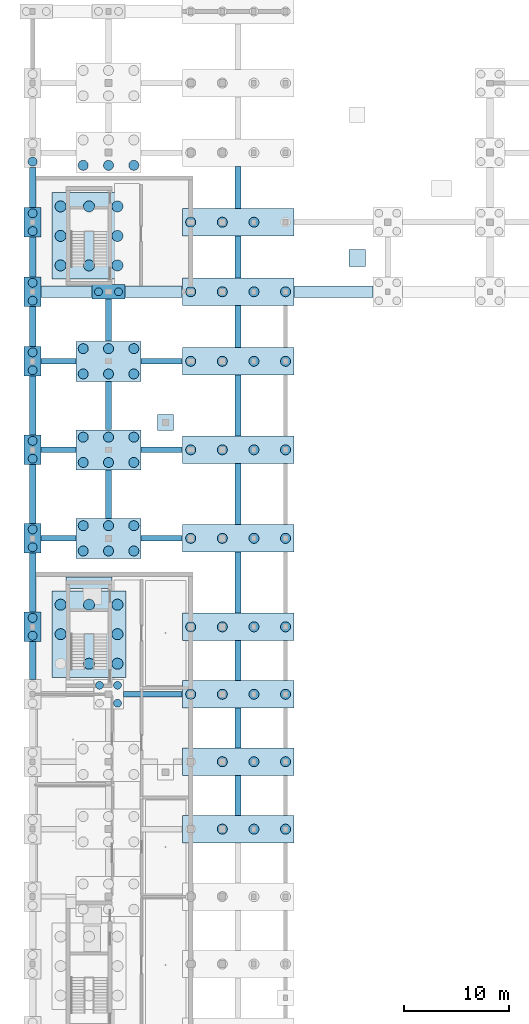
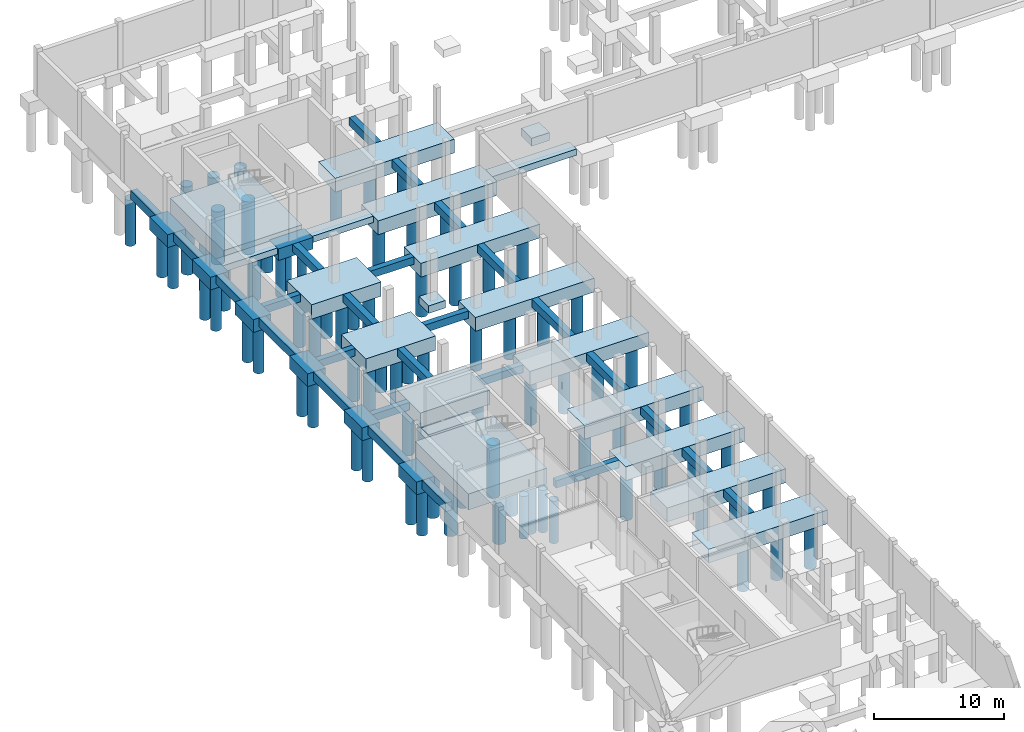
# One storey, part 2 of 21: 87 piles, 53 footings.
"""IFC4 building model written with IfcOpenShell, lengths in metres."""

from ifc_helpers import new_model, si_unit, derived_unit, direction, frame, origin, origin_2d, place, context, subcontext, project, spatial, rectangle, circle, extrude, material, material_profile, profile_set, type_object, element, save


model = new_model("IFC4")

# Units and contexts
model_context = context("Model", 3, precision=1e-05, world=origin(), true_north=direction((0.0, 1.0)))
body_context = subcontext(model_context, "Body", "Model", "MODEL_VIEW")
ifc_project = project(units=[si_unit("LENGTHUNIT", "METRE"), si_unit("AREAUNIT", "SQUARE_METRE"), si_unit("VOLUMEUNIT", "CUBIC_METRE"), si_unit("PLANEANGLEUNIT", "RADIAN"), si_unit("MASSUNIT", "GRAM", prefix="KILO"), derived_unit("THERMALTRANSMITTANCEUNIT", [(si_unit("POWERUNIT", "WATT"), 1), (si_unit("LENGTHUNIT", "METRE"), -2), (si_unit("THERMODYNAMICTEMPERATUREUNIT", "KELVIN"), -1)])], contexts=[model_context])

# Site, building, storey
site_placement = place(None, origin())
site = spatial("IfcSite", under=ifc_project, at=site_placement, CompositionType="ELEMENT")
building_placement = place(site_placement, origin())
building = spatial("IfcBuilding", under=site, at=building_placement, Name="Braskholm Square Health Centre", CompositionType="ELEMENT")
storey_placement = place(building_placement, frame((0.0, 0.0, -4.5)))
storey = spatial("IfcBuildingStorey", under=building, at=storey_placement, Name="B01", CompositionType="ELEMENT", Elevation=-4.5)

# Piles
ifc_material = material(Name="Concrete C40/50 (f'c = 40 MPa)", Category="concrete")
ifc_material_profile_1 = material_profile(ifc_material, circle(Radius=0.52490234375, at=origin_2d()), Name="BORED-PILE-1050")
ifc_profile_set_1 = profile_set([ifc_material_profile_1], Name="Concrete C40/50 (f'c = 40 MPa)")
pile_type_1 = type_object("IfcPileType", Name="BoredShaft1050", PredefinedType="BORED", material=ifc_profile_set_1)
for number, where, z_axis, x_axis, name in (
    (1, (12.25, 51.89990234375, -1.39990234375), (0.0, 0.0, -1.0), (1.0, 0.0, 0.0), "Rock-socketed shaft 0009"),
    (2, (12.25, 54.699951171875, -1.39990234375), (0.0, 0.0, -1.0), (1.0, 0.0, 0.0), "Rock-socketed shaft 0010"),
    (3, (12.25, 57.5, -1.39990234375), (0.0, 0.0, -1.0), (1.0, 0.0, 0.0), "Rock-socketed shaft 0011"),
    (4, (9.550048828125, 51.89990234375, -1.39990234375), (0.0, 0.0, -1.0), (1.0, 0.0, 0.0), "Rock-socketed shaft 0012"),
    (5, (9.550048828125, 57.5, -1.39990234375), (0.0, 0.0, -1.0), (1.0, 0.0, 0.0), "Rock-socketed shaft 0013"),
    (6, (6.85009765625, 54.699951171875, -1.39990234375), (0.0, 0.0, -1.0), (1.0, 0.0, 0.0), "Rock-socketed shaft 0015"),
    (7, (6.85009765625, 57.5, -1.39990234375), (0.0, 0.0, -1.0), (1.0, 0.0, 0.0), "Rock-socketed shaft 0016"),
    (8, (12.25, 89.699951171875, -1.39990234375), (0.0, 0.0, -1.0), (1.0, 0.0, 0.0), "Rock-socketed shaft 0017"),
    (9, (12.25, 92.5, -1.39990234375), (0.0, 0.0, -1.0), (1.0, 0.0, 0.0), "Rock-socketed shaft 0018"),
    (10, (12.25, 95.300048828125, -1.39990234375), (0.0, 0.0, -1.0), (1.0, 0.0, 0.0), "Rock-socketed shaft 0019"),
    (11, (9.550048828125, 89.699951171875, -1.39990234375), (0.0, 0.0, -1.0), (1.0, 0.0, 0.0), "Rock-socketed shaft 0020"),
    (12, (9.550048828125, 95.300048828125, -1.39990234375), (0.0, 0.0, -1.0), (1.0, 0.0, 0.0), "Rock-socketed shaft 0021"),
    (13, (6.85009765625, 89.699951171875, -1.39990234375), (0.0, 0.0, -1.0), (1.0, 0.0, 0.0), "Rock-socketed shaft 0022"),
    (14, (6.85009765625, 92.5, -1.39990234375), (0.0, 0.0, -1.0), (1.0, 0.0, 0.0), "Rock-socketed shaft 0023"),
    (15, (6.85009765625, 95.300048828125, -1.39990234375), (0.0, 0.0, -1.0), (1.0, 0.0, 0.0), "Rock-socketed shaft 0024"),
):
    element("IfcPile", number, at=place(storey_placement, frame(where, z_axis=z_axis, x_axis=x_axis)), inside=storey, type_object=pile_type_1, Name=name, PredefinedType="BORED", context=body_context, shape_type="SweptSolid", body=[
        extrude(circle(Radius=0.52490234375, at=origin_2d()), origin(), (0.0, 0.0, 1.0), 5.0),
    ])
ifc_material_profile_2 = material_profile(ifc_material, circle(Radius=0.375, at=origin_2d()), Name="BORED-PILE-750")
ifc_profile_set_2 = profile_set([ifc_material_profile_2], Name="Concrete C40/50 (f'c = 40 MPa)")
pile_type_2 = type_object("IfcPileType", Name="BoredShaft750", PredefinedType="BORED", material=ifc_profile_set_2)
for number, where, z_axis, x_axis, name in (
    (16, (12.25, 48.14990234375, -1.10009765625), (0.0, 0.0, -1.0), (1.0, 0.0, 0.0), "Rock-socketed shaft 0230"),
    (17, (10.550048828125, 49.85009765625, -1.10009765625), (0.0, 0.0, -1.0), (1.0, 0.0, 0.0), "Rock-socketed shaft 0231"),
    (18, (12.25, 49.85009765625, -1.10009765625), (0.0, 0.0, -1.0), (1.0, 0.0, 0.0), "Rock-socketed shaft 0232"),
    (19, (10.449951171875, 87.199951171875, -1.0), (0.0, 0.0, -1.0), (1.0, 0.0, 0.0), "Rock-socketed shaft 0251"),
    (20, (12.35009765625, 87.199951171875, -1.0), (0.0, 0.0, -1.0), (1.0, 0.0, 0.0), "Rock-socketed shaft 0252"),
):
    element("IfcPile", number, at=place(storey_placement, frame(where, z_axis=z_axis, x_axis=x_axis)), inside=storey, type_object=pile_type_2, Name=name, PredefinedType="BORED", context=body_context, shape_type="SweptSolid", body=[
        extrude(circle(Radius=0.375, at=origin_2d()), origin(), (0.0, 0.0, 1.0), 4.0),
    ])
ifc_material_profile_3 = material_profile(ifc_material, circle(Radius=0.425048828125, at=origin_2d()), Name="BORED-PILE-850")
ifc_profile_set_3 = profile_set([ifc_material_profile_3], Name="Concrete C40/50 (f'c = 40 MPa)")
pile_type_3 = type_object("IfcPileType", Name="BoredShaft850", PredefinedType="BORED", material=ifc_profile_set_3)
for number, where, z_axis, x_axis, name in (
    (21, (4.199951171875, 54.550048828125, -1.10009765625), (0.0, 0.0, -1.0), (1.0, 0.0, 0.0), "Rock-socketed shaft 0185"),
    (22, (4.199951171875, 56.25, -1.10009765625), (0.0, 0.0, -1.0), (1.0, 0.0, 0.0), "Rock-socketed shaft 0186"),
    (23, (4.199951171875, 62.949951171875, -1.10009765625), (0.0, 0.0, -1.0), (1.0, 0.0, 0.0), "Rock-socketed shaft 0187"),
    (24, (4.199951171875, 64.64990234375, -1.10009765625), (0.0, 0.0, -1.0), (1.0, 0.0, 0.0), "Rock-socketed shaft 0188"),
    (25, (4.199951171875, 71.35009765625, -1.10009765625), (0.0, 0.0, -1.0), (1.0, 0.0, 0.0), "Rock-socketed shaft 0189"),
    (26, (4.199951171875, 73.050048828125, -1.10009765625), (0.0, 0.0, -1.0), (1.0, 0.0, 0.0), "Rock-socketed shaft 0190"),
    (27, (4.199951171875, 79.75, -1.10009765625), (0.0, 0.0, -1.0), (1.0, 0.0, 0.0), "Rock-socketed shaft 0191"),
    (28, (4.199951171875, 81.449951171875, -1.10009765625), (0.0, 0.0, -1.0), (1.0, 0.0, 0.0), "Rock-socketed shaft 0192"),
    (29, (4.199951171875, 86.35009765625, -1.10009765625), (0.0, 0.0, -1.0), (1.0, 0.0, 0.0), "Rock-socketed shaft 0193"),
    (30, (4.199951171875, 88.050048828125, -1.10009765625), (0.0, 0.0, -1.0), (1.0, 0.0, 0.0), "Rock-socketed shaft 0194"),
    (31, (4.199951171875, 92.949951171875, -1.10009765625), (0.0, 0.0, -1.0), (1.0, 0.0, 0.0), "Rock-socketed shaft 0195"),
    (32, (4.199951171875, 94.64990234375, -1.10009765625), (0.0, 0.0, -1.0), (1.0, 0.0, 0.0), "Rock-socketed shaft 0196"),
    (33, (4.199951171875, 99.550048828125, -1.10009765625), (0.0, 0.0, -1.0), (1.0, 0.0, 0.0), "Rock-socketed shaft 0197"),
):
    element("IfcPile", number, at=place(storey_placement, frame(where, z_axis=z_axis, x_axis=x_axis)), inside=storey, type_object=pile_type_3, Name=name, PredefinedType="BORED", context=body_context, shape_type="SweptSolid", body=[
        extrude(circle(Radius=0.425048828125, at=origin_2d()), origin(), (0.0, 0.0, 1.0), 4.300048828125),
    ])
ifc_material_profile_4 = material_profile(ifc_material, circle(Radius=0.47509765625, at=origin_2d()), Name="BORED-PILE-950")
ifc_profile_set_4 = profile_set([ifc_material_profile_4], Name="Concrete C40/50 (f'c = 40 MPa)")
pile_type_4 = type_object("IfcPileType", Name="BoredShaft950", PredefinedType="BORED", material=ifc_profile_set_4)
for number, where, z_axis, x_axis, name in (
    (34, (22.199951171875, 36.199951171875, -1.199951171875), (0.0, 0.0, -1.0), (1.0, 0.0, 0.0), "Rock-socketed shaft 0054"),
    (35, (25.199951171875, 36.199951171875, -1.199951171875), (0.0, 0.0, -1.0), (1.0, 0.0, 0.0), "Rock-socketed shaft 0055"),
    (36, (28.199951171875, 36.199951171875, -1.199951171875), (0.0, 0.0, -1.0), (1.0, 0.0, 0.0), "Rock-socketed shaft 0056"),
    (37, (22.199951171875, 42.60009765625, -1.199951171875), (0.0, 0.0, -1.0), (1.0, 0.0, 0.0), "Rock-socketed shaft 0058"),
    (38, (25.199951171875, 42.60009765625, -1.199951171875), (0.0, 0.0, -1.0), (1.0, 0.0, 0.0), "Rock-socketed shaft 0059"),
    (39, (28.199951171875, 42.60009765625, -1.199951171875), (0.0, 0.0, -1.0), (1.0, 0.0, 0.0), "Rock-socketed shaft 0060"),
    (40, (19.199951171875, 49.0, -1.199951171875), (0.0, 0.0, -1.0), (1.0, 0.0, 0.0), "Rock-socketed shaft 0061"),
    (41, (22.199951171875, 49.0, -1.199951171875), (0.0, 0.0, -1.0), (1.0, 0.0, 0.0), "Rock-socketed shaft 0062"),
    (42, (25.199951171875, 49.0, -1.199951171875), (0.0, 0.0, -1.0), (1.0, 0.0, 0.0), "Rock-socketed shaft 0063"),
    (43, (28.199951171875, 49.0, -1.199951171875), (0.0, 0.0, -1.0), (1.0, 0.0, 0.0), "Rock-socketed shaft 0064"),
    (44, (19.199951171875, 55.39990234375, -1.199951171875), (0.0, 0.0, -1.0), (1.0, 0.0, 0.0), "Rock-socketed shaft 0065"),
    (45, (22.199951171875, 55.39990234375, -1.199951171875), (0.0, 0.0, -1.0), (1.0, 0.0, 0.0), "Rock-socketed shaft 0066"),
    (46, (25.199951171875, 55.39990234375, -1.199951171875), (0.0, 0.0, -1.0), (1.0, 0.0, 0.0), "Rock-socketed shaft 0067"),
    (47, (28.199951171875, 55.39990234375, -1.199951171875), (0.0, 0.0, -1.0), (1.0, 0.0, 0.0), "Rock-socketed shaft 0068"),
    (48, (19.199951171875, 63.800048828125, -1.199951171875), (0.0, 0.0, -1.0), (1.0, 0.0, 0.0), "Rock-socketed shaft 0069"),
    (49, (22.199951171875, 63.800048828125, -1.199951171875), (0.0, 0.0, -1.0), (1.0, 0.0, 0.0), "Rock-socketed shaft 0070"),
    (50, (25.199951171875, 63.800048828125, -1.199951171875), (0.0, 0.0, -1.0), (1.0, 0.0, 0.0), "Rock-socketed shaft 0071"),
    (51, (28.199951171875, 63.800048828125, -1.199951171875), (0.0, 0.0, -1.0), (1.0, 0.0, 0.0), "Rock-socketed shaft 0072"),
    (52, (19.199951171875, 72.199951171875, -1.199951171875), (0.0, 0.0, -1.0), (1.0, 0.0, 0.0), "Rock-socketed shaft 0073"),
    (53, (22.199951171875, 72.199951171875, -1.199951171875), (0.0, 0.0, -1.0), (1.0, 0.0, 0.0), "Rock-socketed shaft 0074"),
    (54, (25.199951171875, 72.199951171875, -1.199951171875), (0.0, 0.0, -1.0), (1.0, 0.0, 0.0), "Rock-socketed shaft 0075"),
    (55, (28.199951171875, 72.199951171875, -1.199951171875), (0.0, 0.0, -1.0), (1.0, 0.0, 0.0), "Rock-socketed shaft 0076"),
    (56, (19.199951171875, 80.60009765625, -1.199951171875), (0.0, 0.0, -1.0), (1.0, 0.0, 0.0), "Rock-socketed shaft 0077"),
    (57, (22.199951171875, 80.60009765625, -1.199951171875), (0.0, 0.0, -1.0), (1.0, 0.0, 0.0), "Rock-socketed shaft 0078"),
    (58, (25.199951171875, 80.60009765625, -1.199951171875), (0.0, 0.0, -1.0), (1.0, 0.0, 0.0), "Rock-socketed shaft 0079"),
    (59, (28.199951171875, 80.60009765625, -1.199951171875), (0.0, 0.0, -1.0), (1.0, 0.0, 0.0), "Rock-socketed shaft 0080"),
    (60, (19.199951171875, 87.199951171875, -1.199951171875), (0.0, 0.0, -1.0), (1.0, 0.0, 0.0), "Rock-socketed shaft 0081"),
    (61, (22.199951171875, 87.199951171875, -1.199951171875), (0.0, 0.0, -1.0), (1.0, 0.0, 0.0), "Rock-socketed shaft 0082"),
    (62, (25.199951171875, 87.199951171875, -1.199951171875), (0.0, 0.0, -1.0), (1.0, 0.0, 0.0), "Rock-socketed shaft 0083"),
    (63, (28.199951171875, 87.199951171875, -1.199951171875), (0.0, 0.0, -1.0), (1.0, 0.0, 0.0), "Rock-socketed shaft 0084"),
    (64, (19.199951171875, 93.800048828125, -1.199951171875), (0.0, 0.0, -1.0), (1.0, 0.0, 0.0), "Rock-socketed shaft 0085"),
    (65, (22.199951171875, 93.800048828125, -1.199951171875), (0.0, 0.0, -1.0), (1.0, 0.0, 0.0), "Rock-socketed shaft 0086"),
    (66, (25.199951171875, 93.800048828125, -1.199951171875), (0.0, 0.0, -1.0), (1.0, 0.0, 0.0), "Rock-socketed shaft 0087"),
    (67, (9.0, 62.60009765625, -1.25), (0.0, 0.0, -1.0), (1.0, 0.0, 0.0), "Rock-socketed shaft 0233"),
    (68, (11.39990234375, 62.60009765625, -1.25), (0.0, 0.0, -1.0), (1.0, 0.0, 0.0), "Rock-socketed shaft 0234"),
    (69, (13.800048828125, 62.60009765625, -1.25), (0.0, 0.0, -1.0), (1.0, 0.0, 0.0), "Rock-socketed shaft 0235"),
    (70, (9.0, 65.0, -1.25), (0.0, 0.0, -1.0), (1.0, 0.0, 0.0), "Rock-socketed shaft 0236"),
    (71, (11.39990234375, 65.0, -1.25), (0.0, 0.0, -1.0), (1.0, 0.0, 0.0), "Rock-socketed shaft 0237"),
    (72, (13.800048828125, 65.0, -1.25), (0.0, 0.0, -1.0), (1.0, 0.0, 0.0), "Rock-socketed shaft 0238"),
    (73, (9.0, 71.0, -1.25), (0.0, 0.0, -1.0), (1.0, 0.0, 0.0), "Rock-socketed shaft 0239"),
    (74, (11.39990234375, 71.0, -1.25), (0.0, 0.0, -1.0), (1.0, 0.0, 0.0), "Rock-socketed shaft 0240"),
    (75, (13.800048828125, 71.0, -1.25), (0.0, 0.0, -1.0), (1.0, 0.0, 0.0), "Rock-socketed shaft 0241"),
    (76, (9.0, 73.39990234375, -1.25), (0.0, 0.0, -1.0), (1.0, 0.0, 0.0), "Rock-socketed shaft 0242"),
    (77, (11.39990234375, 73.39990234375, -1.25), (0.0, 0.0, -1.0), (1.0, 0.0, 0.0), "Rock-socketed shaft 0243"),
    (78, (13.800048828125, 73.39990234375, -1.25), (0.0, 0.0, -1.0), (1.0, 0.0, 0.0), "Rock-socketed shaft 0244"),
    (79, (9.0, 79.39990234375, -1.25), (0.0, 0.0, -1.0), (1.0, 0.0, 0.0), "Rock-socketed shaft 0245"),
    (80, (11.39990234375, 79.39990234375, -1.25), (0.0, 0.0, -1.0), (1.0, 0.0, 0.0), "Rock-socketed shaft 0246"),
    (81, (13.800048828125, 79.39990234375, -1.25), (0.0, 0.0, -1.0), (1.0, 0.0, 0.0), "Rock-socketed shaft 0247"),
    (82, (9.0, 81.800048828125, -1.25), (0.0, 0.0, -1.0), (1.0, 0.0, 0.0), "Rock-socketed shaft 0248"),
    (83, (11.39990234375, 81.800048828125, -1.25), (0.0, 0.0, -1.0), (1.0, 0.0, 0.0), "Rock-socketed shaft 0249"),
    (84, (13.800048828125, 81.800048828125, -1.25), (0.0, 0.0, -1.0), (1.0, 0.0, 0.0), "Rock-socketed shaft 0250"),
    (85, (9.0, 99.199951171875, -1.25), (0.0, 0.0, -1.0), (1.0, 0.0, 0.0), "Rock-socketed shaft 0253"),
    (86, (11.39990234375, 99.199951171875, -1.25), (0.0, 0.0, -1.0), (1.0, 0.0, 0.0), "Rock-socketed shaft 0254"),
    (87, (13.800048828125, 99.199951171875, -1.25), (0.0, 0.0, -1.0), (1.0, 0.0, 0.0), "Rock-socketed shaft 0255"),
):
    element("IfcPile", number, at=place(storey_placement, frame(where, z_axis=z_axis, x_axis=x_axis)), inside=storey, type_object=pile_type_4, Name=name, PredefinedType="BORED", context=body_context, shape_type="SweptSolid", body=[
        extrude(circle(Radius=0.47509765625, at=origin_2d()), origin(), (0.0, 0.0, 1.0), 4.60009765625),
    ])

# Footings
ifc_material_profile_5 = material_profile(ifc_material, rectangle(XDim=0.60009765625, YDim=0.800048828125, at=origin_2d()), Name="FTG-600X800")
ifc_profile_set_5 = profile_set([ifc_material_profile_5], Name="Concrete C40/50 (f'c = 40 MPa)")
footing_type_1 = type_object("IfcFootingType", Name="GradeBeamFrost600x800", PredefinedType="FOOTING_BEAM", material=ifc_profile_set_5)
footing_1_placement = place(storey_placement, frame((4.199951171875, 50.405029296875, -0.39990234375), z_axis=(0.0, 1.0, 0.0), x_axis=(-1.0, 0.0, 0.0)))
element("IfcFooting", 88, at=footing_1_placement, inside=storey, type_object=footing_type_1, Name="Foundation tie beam 0007", PredefinedType="FOOTING_BEAM", context=body_context, shape_type="SweptSolid", body=[
    extrude(rectangle(XDim=0.60009765625, YDim=0.800048828125, at=origin_2d()), origin(), (0.0, 0.0, 1.0), 3.590087890625),
])
footing_2_placement = place(storey_placement, frame((4.199951171875, 56.804931640625, -0.39990234375), z_axis=(0.0, 1.0, 0.0), x_axis=(-1.0, 0.0, 0.0)))
element("IfcFooting", 89, at=footing_2_placement, inside=storey, type_object=footing_type_1, Name="Foundation tie beam 0008", PredefinedType="FOOTING_BEAM", context=body_context, shape_type="SweptSolid", body=[
    extrude(rectangle(XDim=0.60009765625, YDim=0.800048828125, at=origin_2d()), origin(), (0.0, 0.0, 1.0), 5.590087890625),
])
footing_3_placement = place(storey_placement, frame((4.199951171875, 65.205078125, -0.39990234375), z_axis=(0.0, 1.0, 0.0), x_axis=(-1.0, 0.0, 0.0)))
element("IfcFooting", 90, at=footing_3_placement, inside=storey, type_object=footing_type_1, Name="Foundation tie beam 0009", PredefinedType="FOOTING_BEAM", context=body_context, shape_type="SweptSolid", body=[
    extrude(rectangle(XDim=0.60009765625, YDim=0.800048828125, at=origin_2d()), origin(), (0.0, 0.0, 1.0), 5.58984375),
])
footing_4_placement = place(storey_placement, frame((4.199951171875, 73.60498046875, -0.39990234375), z_axis=(0.0, 1.0, 0.0), x_axis=(-1.0, 0.0, 0.0)))
element("IfcFooting", 91, at=footing_4_placement, inside=storey, type_object=footing_type_1, Name="Foundation tie beam 0010", PredefinedType="FOOTING_BEAM", context=body_context, shape_type="SweptSolid", body=[
    extrude(rectangle(XDim=0.60009765625, YDim=0.800048828125, at=origin_2d()), origin(), (0.0, 0.0, 1.0), 5.590087890625),
])
for number, where, z_axis, x_axis, name in (
    (92, (4.199951171875, 82.0048828125, -0.39990234375), (0.0, 1.0, 0.0), (-1.0, 0.0, 0.0), "Foundation tie beam 0011"),
    (93, (4.199951171875, 88.60498046875, -0.39990234375), (0.0, 1.0, 0.0), (-1.0, 0.0, 0.0), "Foundation tie beam 0012"),
    (94, (4.199951171875, 95.205078125, -0.39990234375), (0.0, 1.0, 0.0), (-1.0, 0.0, 0.0), "Foundation tie beam 0013"),
):
    element("IfcFooting", number, at=place(storey_placement, frame(where, z_axis=z_axis, x_axis=x_axis)), inside=storey, type_object=footing_type_1, Name=name, PredefinedType="FOOTING_BEAM", context=body_context, shape_type="SweptSolid", body=[
        extrude(rectangle(XDim=0.60009765625, YDim=0.800048828125, at=origin_2d()), origin(), (0.0, 0.0, 1.0), 3.7900390625),
    ])
ifc_material_profile_6 = material_profile(ifc_material, rectangle(XDim=0.5, YDim=0.699951171875, at=origin_2d()), Name="FTG-500X700")
ifc_profile_set_6 = profile_set([ifc_material_profile_6], Name="Concrete C40/50 (f'c = 40 MPa)")
footing_type_2 = type_object("IfcFootingType", Name="GradeBeamTie500x700", PredefinedType="FOOTING_BEAM", material=ifc_profile_set_6)
footing_5_placement = place(storey_placement, frame((12.804931640625, 49.0, -0.35009765625), z_axis=(1.0, 0.0, 0.0), x_axis=(0.0, 1.0, 0.0)))
element("IfcFooting", 95, at=footing_5_placement, inside=storey, type_object=footing_type_2, Name="Foundation tie beam 0142", PredefinedType="FOOTING_BEAM", context=body_context, shape_type="SweptSolid", body=[
    extrude(rectangle(XDim=0.5, YDim=0.699951171875, at=origin_2d()), origin(), (0.0, 0.0, 1.0), 5.590087890625),
])
footing_6_placement = place(storey_placement, frame((5.0048828125, 63.800048828125, -0.35009765625), z_axis=(1.0, 0.0, 0.0), x_axis=(0.0, 1.0, 0.0)))
element("IfcFooting", 96, at=footing_6_placement, inside=storey, type_object=footing_type_2, Name="Foundation tie beam 0145", PredefinedType="FOOTING_BEAM", context=body_context, shape_type="SweptSolid", body=[
    extrude(rectangle(XDim=0.5, YDim=0.699951171875, at=origin_2d()), origin(), (0.0, 0.0, 1.0), 3.2900390625),
])
footing_7_placement = place(storey_placement, frame((14.5048828125, 63.800048828125, -0.35009765625), z_axis=(1.0, 0.0, 0.0), x_axis=(0.0, 1.0, 0.0)))
element("IfcFooting", 97, at=footing_7_placement, inside=storey, type_object=footing_type_2, Name="Foundation tie beam 0146", PredefinedType="FOOTING_BEAM", context=body_context, shape_type="SweptSolid", body=[
    extrude(rectangle(XDim=0.5, YDim=0.699951171875, at=origin_2d()), origin(), (0.0, 0.0, 1.0), 3.89013671875),
])
footing_8_placement = place(storey_placement, frame((5.0048828125, 72.199951171875, -0.35009765625), z_axis=(1.0, 0.0, 0.0), x_axis=(0.0, 1.0, 0.0)))
element("IfcFooting", 98, at=footing_8_placement, inside=storey, type_object=footing_type_2, Name="Foundation tie beam 0147", PredefinedType="FOOTING_BEAM", context=body_context, shape_type="SweptSolid", body=[
    extrude(rectangle(XDim=0.5, YDim=0.699951171875, at=origin_2d()), origin(), (0.0, 0.0, 1.0), 3.2900390625),
])
footing_9_placement = place(storey_placement, frame((14.5048828125, 72.199951171875, -0.35009765625), z_axis=(1.0, 0.0, 0.0), x_axis=(0.0, 1.0, 0.0)))
element("IfcFooting", 99, at=footing_9_placement, inside=storey, type_object=footing_type_2, Name="Foundation tie beam 0148", PredefinedType="FOOTING_BEAM", context=body_context, shape_type="SweptSolid", body=[
    extrude(rectangle(XDim=0.5, YDim=0.699951171875, at=origin_2d()), origin(), (0.0, 0.0, 1.0), 3.89013671875),
])
footing_10_placement = place(storey_placement, frame((5.0048828125, 80.60009765625, -0.35009765625), z_axis=(1.0, 0.0, 0.0), x_axis=(0.0, 1.0, 0.0)))
element("IfcFooting", 100, at=footing_10_placement, inside=storey, type_object=footing_type_2, Name="Foundation tie beam 0151", PredefinedType="FOOTING_BEAM", context=body_context, shape_type="SweptSolid", body=[
    extrude(rectangle(XDim=0.5, YDim=0.699951171875, at=origin_2d()), origin(), (0.0, 0.0, 1.0), 3.2900390625),
])
footing_11_placement = place(storey_placement, frame((14.5048828125, 80.60009765625, -0.35009765625), z_axis=(1.0, 0.0, 0.0), x_axis=(0.0, 1.0, 0.0)))
element("IfcFooting", 101, at=footing_11_placement, inside=storey, type_object=footing_type_2, Name="Foundation tie beam 0152", PredefinedType="FOOTING_BEAM", context=body_context, shape_type="SweptSolid", body=[
    extrude(rectangle(XDim=0.5, YDim=0.699951171875, at=origin_2d()), origin(), (0.0, 0.0, 1.0), 3.89013671875),
])
ifc_material_profile_7 = material_profile(ifc_material, rectangle(XDim=0.550048828125, YDim=0.75, at=origin_2d()), Name="FTG-550X750")
ifc_profile_set_7 = profile_set([ifc_material_profile_7], Name="Concrete C40/50 (f'c = 40 MPa)")
footing_type_3 = type_object("IfcFootingType", Name="GradeBeamTie550x750", PredefinedType="FOOTING_BEAM", material=ifc_profile_set_7)
footing_12_placement = place(storey_placement, frame((11.39990234375, 65.705078125, -0.375), z_axis=(0.0, 1.0, 0.0), x_axis=(-1.0, 0.0, 0.0)))
element("IfcFooting", 102, at=footing_12_placement, inside=storey, type_object=footing_type_3, Name="Foundation tie beam 0019", PredefinedType="FOOTING_BEAM", context=body_context, shape_type="SweptSolid", body=[
    extrude(rectangle(XDim=0.550048828125, YDim=0.75, at=origin_2d()), origin(), (0.0, 0.0, 1.0), 4.58984375),
])
footing_13_placement = place(storey_placement, frame((11.39990234375, 74.10498046875, -0.375), z_axis=(0.0, 1.0, 0.0), x_axis=(-1.0, 0.0, 0.0)))
element("IfcFooting", 103, at=footing_13_placement, inside=storey, type_object=footing_type_3, Name="Foundation tie beam 0020", PredefinedType="FOOTING_BEAM", context=body_context, shape_type="SweptSolid", body=[
    extrude(rectangle(XDim=0.550048828125, YDim=0.75, at=origin_2d()), origin(), (0.0, 0.0, 1.0), 4.590087890625),
])
footing_14_placement = place(storey_placement, frame((11.39990234375, 82.5048828125, -0.375), z_axis=(0.0, 1.0, 0.0), x_axis=(-1.0, 0.0, 0.0)))
element("IfcFooting", 104, at=footing_14_placement, inside=storey, type_object=footing_type_3, Name="Foundation tie beam 0021", PredefinedType="FOOTING_BEAM", context=body_context, shape_type="SweptSolid", body=[
    extrude(rectangle(XDim=0.550048828125, YDim=0.75, at=origin_2d()), origin(), (0.0, 0.0, 1.0), 3.990234375),
])
for number, where, z_axis, x_axis, name in (
    (105, (23.699951171875, 37.5048828125, -0.375), (0.0, 1.0, 0.0), (-1.0, 0.0, 0.0), "Foundation tie beam 0029"),
    (106, (23.699951171875, 43.905029296875, -0.375), (0.0, 1.0, 0.0), (-1.0, 0.0, 0.0), "Foundation tie beam 0030"),
    (107, (23.699951171875, 50.304931640625, -0.375), (0.0, 1.0, 0.0), (-1.0, 0.0, 0.0), "Foundation tie beam 0031"),
):
    element("IfcFooting", number, at=place(storey_placement, frame(where, z_axis=z_axis, x_axis=x_axis)), inside=storey, type_object=footing_type_3, Name=name, PredefinedType="FOOTING_BEAM", context=body_context, shape_type="SweptSolid", body=[
        extrude(rectangle(XDim=0.550048828125, YDim=0.75, at=origin_2d()), origin(), (0.0, 0.0, 1.0), 3.7900390625),
    ])
for number, where, z_axis, x_axis, name in (
    (108, (23.699951171875, 56.705078125, -0.375), (0.0, 1.0, 0.0), (-1.0, 0.0, 0.0), "Foundation tie beam 0032"),
    (109, (23.699951171875, 65.10498046875, -0.375), (0.0, 1.0, 0.0), (-1.0, 0.0, 0.0), "Foundation tie beam 0033"),
    (110, (23.699951171875, 73.5048828125, -0.375), (0.0, 1.0, 0.0), (-1.0, 0.0, 0.0), "Foundation tie beam 0034"),
):
    element("IfcFooting", number, at=place(storey_placement, frame(where, z_axis=z_axis, x_axis=x_axis)), inside=storey, type_object=footing_type_3, Name=name, PredefinedType="FOOTING_BEAM", context=body_context, shape_type="SweptSolid", body=[
        extrude(rectangle(XDim=0.550048828125, YDim=0.75, at=origin_2d()), origin(), (0.0, 0.0, 1.0), 5.7900390625),
    ])
footing_15_placement = place(storey_placement, frame((23.699951171875, 81.905029296875, -0.375), z_axis=(0.0, 1.0, 0.0), x_axis=(-1.0, 0.0, 0.0)))
element("IfcFooting", 111, at=footing_15_placement, inside=storey, type_object=footing_type_3, Name="Foundation tie beam 0035", PredefinedType="FOOTING_BEAM", context=body_context, shape_type="SweptSolid", body=[
    extrude(rectangle(XDim=0.550048828125, YDim=0.75, at=origin_2d()), origin(), (0.0, 0.0, 1.0), 3.989990234375),
])
footing_16_placement = place(storey_placement, frame((23.699951171875, 88.5048828125, -0.375), z_axis=(0.0, 1.0, 0.0), x_axis=(-1.0, 0.0, 0.0)))
element("IfcFooting", 112, at=footing_16_placement, inside=storey, type_object=footing_type_3, Name="Foundation tie beam 0036", PredefinedType="FOOTING_BEAM", context=body_context, shape_type="SweptSolid", body=[
    extrude(rectangle(XDim=0.550048828125, YDim=0.75, at=origin_2d()), origin(), (0.0, 0.0, 1.0), 3.990234375),
])
footing_17_placement = place(storey_placement, frame((23.699951171875, 95.10498046875, -0.375), z_axis=(0.0, 1.0, 0.0), x_axis=(-1.0, 0.0, 0.0)))
element("IfcFooting", 113, at=footing_17_placement, inside=storey, type_object=footing_type_3, Name="Foundation tie beam 0037", PredefinedType="FOOTING_BEAM", context=body_context, shape_type="SweptSolid", body=[
    extrude(rectangle(XDim=0.550048828125, YDim=0.75, at=origin_2d()), origin(), (0.0, 0.0, 1.0), 3.989990234375),
])
footing_type_4 = type_object("IfcFootingType", Name="PadFootingCanopy1600x1600", PredefinedType="PAD_FOOTING", material=ifc_material)
footing_18_placement = place(storey_placement, frame((35.0, 90.39990234375, -0.75), z_axis=(0.0, 0.0, 1.0), x_axis=(1.0, 0.0, 0.0)))
element("IfcFooting", 114, at=footing_18_placement, inside=storey, type_object=footing_type_4, Name="Frost-depth pad footing 001", PredefinedType="PAD_FOOTING", context=body_context, shape_type="SweptSolid", body=[
    extrude(rectangle(XDim=1.60009765625, YDim=1.60009765625, at=origin_2d()), origin(), (0.0, 0.0, 1.0), 0.75),
])
footing_type_5 = type_object("IfcFootingType", Name="PadFootingScreen1500x1500", PredefinedType="PAD_FOOTING", material=ifc_material)
footing_19_placement = place(storey_placement, frame((16.800048828125, 74.800048828125, -0.7001953125), z_axis=(0.0, 0.0, 1.0), x_axis=(1.0, 0.0, 0.0)))
element("IfcFooting", 115, at=footing_19_placement, inside=storey, type_object=footing_type_5, Name="Special column pad footing CS3E", PredefinedType="PAD_FOOTING", context=body_context, shape_type="SweptSolid", body=[
    extrude(rectangle(XDim=1.5, YDim=1.5, at=origin_2d()), origin(), (0.0, 0.0, 1.0), 0.699951171875),
])
footing_type_6 = type_object("IfcFootingType", Name="PileCap2Pile2800x1600", PredefinedType="PILE_CAP", material=ifc_material)
for number, where, z_axis, x_axis, name in (
    (116, (4.199951171875, 55.39990234375, -1.2001953125), (0.0, 0.0, 1.0), (0.0, 1.0, 0.0), "Column pile cap FTG-PC-0047 at 1/J"),
    (117, (4.199951171875, 63.800048828125, -1.2001953125), (0.0, 0.0, 1.0), (0.0, 1.0, 0.0), "Column pile cap FTG-PC-0048 at 1/K"),
    (118, (4.199951171875, 72.199951171875, -1.2001953125), (0.0, 0.0, 1.0), (0.0, 1.0, 0.0), "Column pile cap FTG-PC-0049 at 1/L"),
    (119, (4.199951171875, 80.60009765625, -1.2001953125), (0.0, 0.0, 1.0), (0.0, 1.0, 0.0), "Column pile cap FTG-PC-0050 at 1/M"),
    (120, (4.199951171875, 87.199951171875, -1.2001953125), (0.0, 0.0, 1.0), (0.0, 1.0, 0.0), "Column pile cap FTG-PC-0051 at 1/N"),
    (121, (4.199951171875, 93.800048828125, -1.2001953125), (0.0, 0.0, 1.0), (0.0, 1.0, 0.0), "Column pile cap FTG-PC-0052 at 1/P"),
):
    element("IfcFooting", number, at=place(storey_placement, frame(where, z_axis=z_axis, x_axis=x_axis)), inside=storey, type_object=footing_type_6, Name=name, PredefinedType="PILE_CAP", context=body_context, shape_type="SweptSolid", body=[
        extrude(rectangle(XDim=2.800048828125, YDim=1.60009765625, at=origin_2d()), origin(), (0.0, 0.0, 1.0), 1.199951171875),
    ])
footing_type_7 = type_object("IfcFootingType", Name="PileCap2Pile3100x1400", PredefinedType="PILE_CAP", material=ifc_material)
footing_20_placement = place(storey_placement, frame((11.39990234375, 87.199951171875, -1.10009765625), z_axis=(0.0, 0.0, 1.0), x_axis=(1.0, 0.0, 0.0)))
element("IfcFooting", 122, at=footing_20_placement, inside=storey, type_object=footing_type_7, Name="Column pile cap FTG-PC-0065 at 2/N", PredefinedType="PILE_CAP", context=body_context, shape_type="SweptSolid", body=[
    extrude(rectangle(XDim=3.10009765625, YDim=1.39990234375, at=origin_2d()), origin(), (0.0, 0.0, 1.0), 1.10009765625),
])
footing_type_8 = type_object("IfcFootingType", Name="PileCap4PileStep10600x2600", PredefinedType="PILE_CAP", material=ifc_material)
for number, where, z_axis, x_axis, name in (
    (123, (23.699951171875, 36.199951171875, -1.2998046875), (0.0, 0.0, 1.0), (1.0, 0.0, 0.0), "Combined step pile cap FTG-PC-0010"),
    (124, (23.699951171875, 42.60009765625, -1.2998046875), (0.0, 0.0, 1.0), (1.0, 0.0, 0.0), "Combined step pile cap FTG-PC-0011"),
    (125, (23.699951171875, 49.0, -1.2998046875), (0.0, 0.0, 1.0), (1.0, 0.0, 0.0), "Combined step pile cap FTG-PC-0012"),
    (126, (23.699951171875, 55.39990234375, -1.2998046875), (0.0, 0.0, 1.0), (1.0, 0.0, 0.0), "Combined step pile cap FTG-PC-0013"),
    (127, (23.699951171875, 63.800048828125, -1.2998046875), (0.0, 0.0, 1.0), (1.0, 0.0, 0.0), "Combined step pile cap FTG-PC-0014"),
    (128, (23.699951171875, 72.199951171875, -1.2998046875), (0.0, 0.0, 1.0), (1.0, 0.0, 0.0), "Combined step pile cap FTG-PC-0015"),
    (129, (23.699951171875, 80.60009765625, -1.2998046875), (0.0, 0.0, 1.0), (1.0, 0.0, 0.0), "Combined step pile cap FTG-PC-0016"),
    (130, (23.699951171875, 87.199951171875, -1.2998046875), (0.0, 0.0, 1.0), (1.0, 0.0, 0.0), "Combined step pile cap FTG-PC-0017"),
    (131, (23.699951171875, 93.800048828125, -1.2998046875), (0.0, 0.0, 1.0), (1.0, 0.0, 0.0), "Combined step pile cap FTG-PC-0018"),
):
    element("IfcFooting", number, at=place(storey_placement, frame(where, z_axis=z_axis, x_axis=x_axis)), inside=storey, type_object=footing_type_8, Name=name, PredefinedType="PILE_CAP", context=body_context, shape_type="SweptSolid", body=[
        extrude(rectangle(XDim=10.60009765625, YDim=2.60009765625, at=origin_2d()), origin(), (0.0, 0.0, 1.0), 1.300048828125),
    ])
footing_type_9 = type_object("IfcFootingType", Name="PileCap6Pile6200x3800", PredefinedType="PILE_CAP", material=ifc_material)
for number, where, z_axis, x_axis, name in (
    (132, (11.39990234375, 63.800048828125, -1.35009765625), (0.0, 0.0, 1.0), (1.0, 0.0, 0.0), "Column pile cap FTG-PC-0062 at 2/K"),
    (133, (11.39990234375, 72.199951171875, -1.35009765625), (0.0, 0.0, 1.0), (1.0, 0.0, 0.0), "Column pile cap FTG-PC-0063 at 2/L"),
    (134, (11.39990234375, 80.60009765625, -1.35009765625), (0.0, 0.0, 1.0), (1.0, 0.0, 0.0), "Column pile cap FTG-PC-0064 at 2/M"),
):
    element("IfcFooting", number, at=place(storey_placement, frame(where, z_axis=z_axis, x_axis=x_axis)), inside=storey, type_object=footing_type_9, Name=name, PredefinedType="PILE_CAP", context=body_context, shape_type="SweptSolid", body=[
        extrude(rectangle(XDim=6.199951171875, YDim=3.800048828125, at=origin_2d()), origin(), (0.0, 0.0, 1.0), 1.35009765625),
    ])
footing_type_10 = type_object("IfcFootingType", Name="PileCap8PileCore8200x7000", PredefinedType="PILE_CAP", material=ifc_material)
for number, where, z_axis, x_axis, name in (
    (135, (9.550048828125, 54.699951171875, -1.5), (0.0, 0.0, 1.0), (0.0, 1.0, 0.0), "Core pile cap PC-12 K2"),
    (136, (9.550048828125, 92.5, -1.5), (0.0, 0.0, 1.0), (0.0, 1.0, 0.0), "Core pile cap PC-12 K3"),
):
    element("IfcFooting", number, at=place(storey_placement, frame(where, z_axis=z_axis, x_axis=x_axis)), inside=storey, type_object=footing_type_10, Name=name, PredefinedType="PILE_CAP", context=body_context, shape_type="SweptSolid", body=[
        extrude(rectangle(XDim=8.199951171875, YDim=7.0, at=origin_2d()), origin(), (0.0, 0.0, 1.0), 1.5),
    ])
ifc_material_profile_8 = material_profile(ifc_material, rectangle(XDim=1.10009765625, YDim=0.60009765625, at=origin_2d()), Name="FTG-1100X600")
ifc_profile_set_8 = profile_set([ifc_material_profile_8], Name="Concrete C40/50 (f'c = 40 MPa)")
footing_type_11 = type_object("IfcFootingType", Name="StripFootingWall1100x600", PredefinedType="STRIP_FOOTING", material=ifc_profile_set_8)
footing_21_placement = place(storey_placement, frame((7.35009765625, 59.60009765625, -0.300048828125), z_axis=(1.0, 0.0, 0.0), x_axis=(0.0, 1.0, 0.0)))
element("IfcFooting", 137, at=footing_21_placement, inside=storey, type_object=footing_type_11, Name="Core K2 N wall strip footing", PredefinedType="STRIP_FOOTING", context=body_context, shape_type="SweptSolid", body=[
    extrude(rectangle(XDim=1.10009765625, YDim=0.60009765625, at=origin_2d()), origin(), (0.0, 0.0, 1.0), 4.39990234375),
])
footing_22_placement = place(storey_placement, frame((5.0048828125, 87.199951171875, -0.300048828125), z_axis=(1.0, 0.0, 0.0), x_axis=(0.0, 1.0, 0.0)))
element("IfcFooting", 138, at=footing_22_placement, inside=storey, type_object=footing_type_11, Name="Foundation tie beam 0155", PredefinedType="STRIP_FOOTING", context=body_context, shape_type="SweptSolid", body=[
    extrude(rectangle(XDim=1.10009765625, YDim=0.60009765625, at=origin_2d()), origin(), (0.0, 0.0, 1.0), 4.840087890625),
])
footing_23_placement = place(storey_placement, frame((12.955078125, 87.199951171875, -0.300048828125), z_axis=(1.0, 0.0, 0.0), x_axis=(0.0, 1.0, 0.0)))
element("IfcFooting", 139, at=footing_23_placement, inside=storey, type_object=footing_type_11, Name="Foundation tie beam 0156", PredefinedType="STRIP_FOOTING", context=body_context, shape_type="SweptSolid", body=[
    extrude(rectangle(XDim=1.10009765625, YDim=0.60009765625, at=origin_2d()), origin(), (0.0, 0.0, 1.0), 5.43994140625),
])
footing_24_placement = place(storey_placement, frame((29.0048828125, 87.199951171875, -0.300048828125), z_axis=(1.0, 0.0, 0.0), x_axis=(0.0, 1.0, 0.0)))
element("IfcFooting", 140, at=footing_24_placement, inside=storey, type_object=footing_type_11, Name="Foundation tie beam 0157", PredefinedType="STRIP_FOOTING", context=body_context, shape_type="SweptSolid", body=[
    extrude(rectangle(XDim=1.10009765625, YDim=0.60009765625, at=origin_2d()), origin(), (0.0, 0.0, 1.0), 7.490234375),
])

save(model, "model.ifc")
